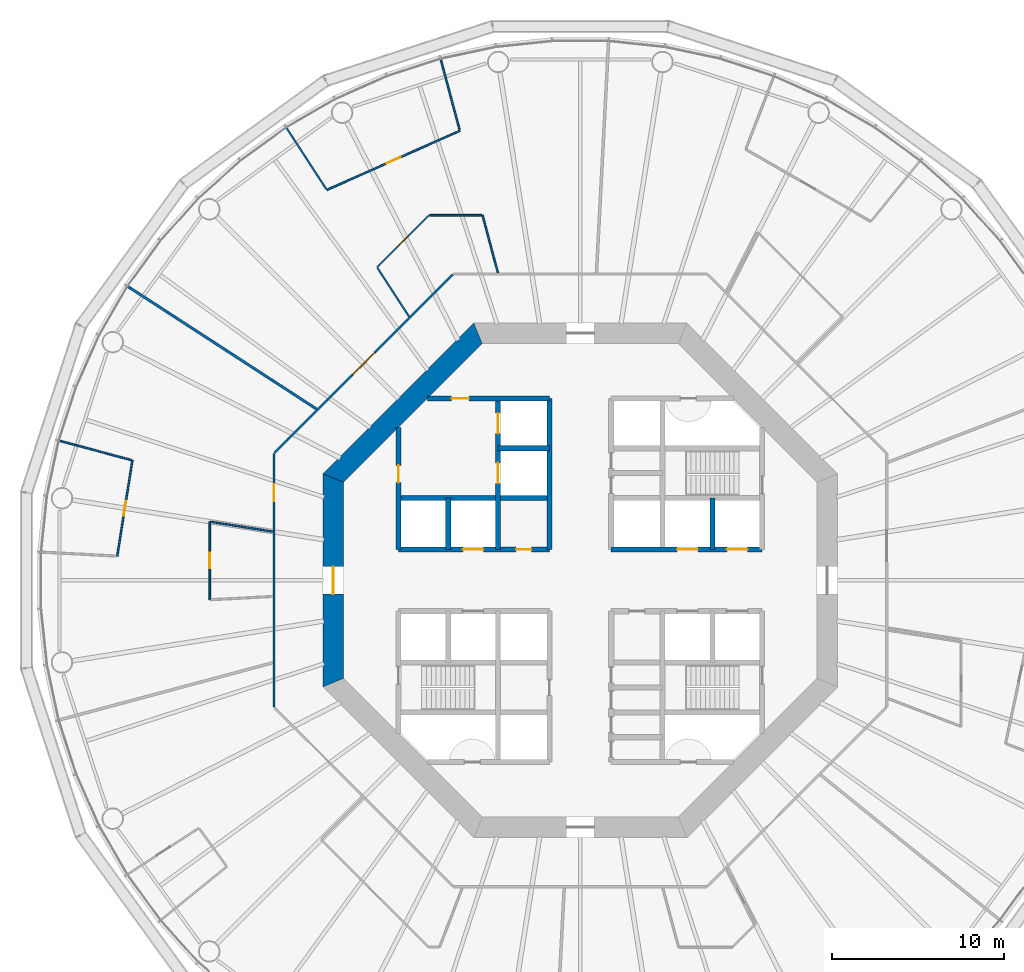
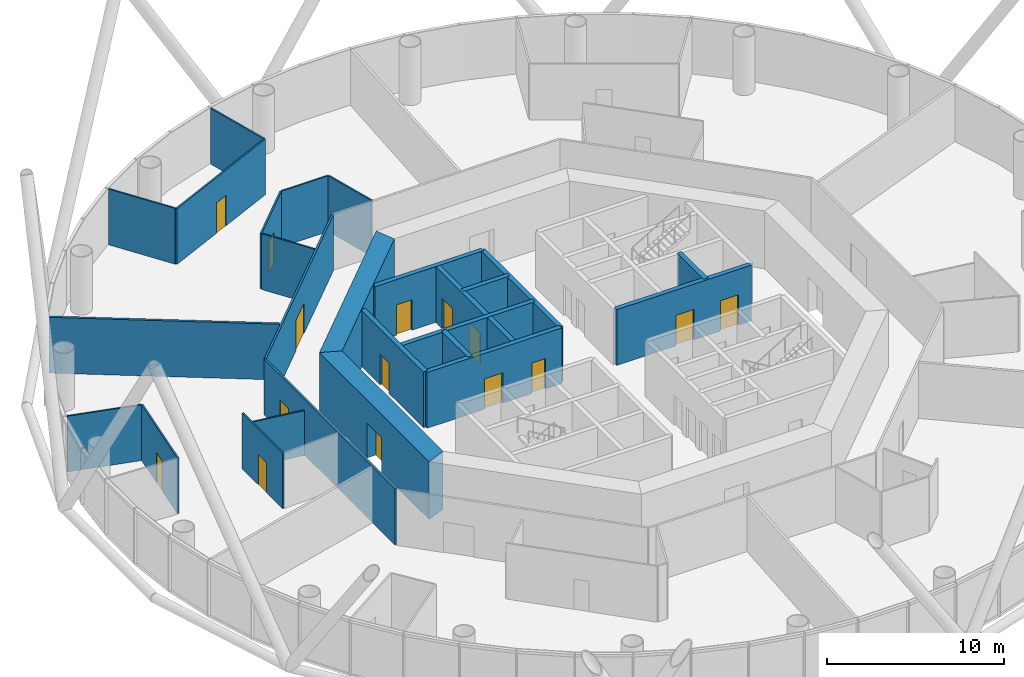
# One storey, part 5 of 14: 26 walls, 15 doors, 15 openings.
"""IFC4 building model written with IfcOpenShell, lengths in metres."""

from ifc_helpers import new_model, si_unit, direction, frame, frame_2d, origin, place, context, subcontext, project, spatial, polyline, rectangle, outline, extrude, material, layer, layer_set, type_object, element, fill, save


model = new_model("IFC4")

# Units and contexts
model_context = context("Model", 3, precision=1e-05, world=origin(), true_north=direction((0.0, 1.0)))
body_context = subcontext(model_context, "Body", "Model", "MODEL_VIEW")
ifc_project = project(units=[si_unit("LENGTHUNIT", "METRE"), si_unit("AREAUNIT", "SQUARE_METRE"), si_unit("VOLUMEUNIT", "CUBIC_METRE"), si_unit("PLANEANGLEUNIT", "RADIAN"), si_unit("MASSUNIT", "GRAM", prefix="KILO")], contexts=[model_context])

# Site, building, storey
site_placement = place(None, origin())
site = spatial("IfcSite", under=ifc_project, at=site_placement, CompositionType="ELEMENT")
building_placement = place(site_placement, origin())
building = spatial("IfcBuilding", under=site, at=building_placement, Name="Entoto Ring Tower", CompositionType="ELEMENT")
storey_placement = place(building_placement, frame((0.0, 0.0, 80.0)))
storey = spatial("IfcBuildingStorey", under=building, at=storey_placement, Name="L17", CompositionType="ELEMENT", Elevation=80.0)

# Walls
ifc_material_1 = material(Name="Concrete C40/50", Category="concrete")
ifc_layer_1 = layer(ifc_material_1, 0.300048828125)
ifc_layer_set_1 = layer_set([ifc_layer_1], Name="Concrete C40/50")
wall_type_1 = type_object("IfcWallType", Name="Core enclosure wall 300 mm reinforced concrete", PredefinedType="SOLIDWALL", material=ifc_layer_set_1)
wall_1_placement = place(storey_placement, frame((97.699951171875, 81.800048828125, 0.0), z_axis=(0.0, 0.0, 1.0), x_axis=(0.0, 1.0, 0.0)))
element("IfcWall", 1, at=wall_1_placement, inside=storey, type_object=wall_type_1, Name="wall-L17-004", PredefinedType="SOLIDWALL", context=body_context, shape_type="SweptSolid", body=[
    extrude(rectangle(XDim=3.0, YDim=0.300048828125, at=frame_2d((1.5, 0.0))), origin(), (0.0, 0.0, 1.0), 3.85009765625),
])
wall_2_placement = place(storey_placement, frame((88.199951171875, 81.800048828125, 0.0), z_axis=(0.0, 0.0, 1.0), x_axis=(0.0, 1.0, 0.0)))
element("IfcWall", 2, at=wall_2_placement, inside=storey, type_object=wall_type_1, Name="wall-L17-010", PredefinedType="SOLIDWALL", context=body_context, shape_type="SweptSolid", body=[
    extrude(rectangle(XDim=8.800048828125, YDim=0.300048828125, at=frame_2d((4.39990234375, 0.0))), origin(), (0.0, 0.0, 1.0), 3.85009765625),
])

# Wall, openings, doors
wall_3_placement = place(storey_placement, frame((85.199951171875, 81.800048828125, 0.0), z_axis=(0.0, 0.0, 1.0), x_axis=(0.0, 1.0, 0.0)))
wall_3 = element("IfcWall", 3, at=wall_3_placement, inside=storey, type_object=wall_type_1, Name="wall-L17-012", PredefinedType="SOLIDWALL", context=body_context, shape_type="SweptSolid", body=[
    extrude(rectangle(XDim=8.800048828125, YDim=0.300048828125, at=frame_2d((4.39990234375, 0.0))), origin(), (0.0, 0.0, 1.0), 3.85009765625),
])
opening_1_placement = place(wall_3_placement, frame((3.85009765625, 0.0, 0.0)))
opening_1 = element("IfcOpeningElement", 4, at=opening_1_placement, cuts=wall_3, Name="Opening LD", PredefinedType="OPENING", context=body_context, shape_type="SweptSolid", body=[
    extrude(rectangle(XDim=1.199951171875, YDim=2.10009765625, at=frame_2d((0.60009765625, 1.050048828125))), frame((0.0, 0.16015625, 0.0), z_axis=(0.0, -1.0, 0.0), x_axis=(1.0, 0.0, 0.0)), (0.0, 0.0, 1.0), 0.320068359375),
])
opening_2_placement = place(wall_3_placement, frame((6.75, 0.0, 0.0)))
opening_2 = element("IfcOpeningElement", 5, at=opening_2_placement, cuts=wall_3, Name="Opening LD", PredefinedType="OPENING", context=body_context, shape_type="SweptSolid", body=[
    extrude(rectangle(XDim=1.199951171875, YDim=2.10009765625, at=frame_2d((0.60009765625, 1.050048828125))), frame((0.0, 0.16015625, 0.0), z_axis=(0.0, -1.0, 0.0), x_axis=(1.0, 0.0, 0.0)), (0.0, 0.0, 1.0), 0.320068359375),
])
ifc_material_2 = material(Name="Steel and glass door leaf", Category="steel")
ifc_layer_2 = layer(ifc_material_2, 0.050048828125)
ifc_layer_set_2 = layer_set([ifc_layer_2], Name="Steel and glass door leaf")
door_type_1 = type_object("IfcDoorType", Name="Landing door 1200 x 2100 sliding", OperationType="DOUBLE_DOOR_SLIDING", PredefinedType="DOOR", material=ifc_layer_set_2)
door_1_placement = place(opening_1_placement, origin())
door_1 = element("IfcDoor", 6, at=door_1_placement, inside=storey, type_object=door_type_1, Name="Landing door FF1", OperationType="SLIDING_TO_RIGHT", OverallHeight=2.10009765625, OverallWidth=1.199951171875, PredefinedType="DOOR", context=body_context, shape_type="SweptSolid", body=[
    extrude(rectangle(XDim=1.199951171875, YDim=2.10009765625, at=frame_2d((0.60009765625, 1.050048828125))), frame((0.0, 0.02490234375, 0.0), z_axis=(0.0, -1.0, 0.0), x_axis=(1.0, 0.0, 0.0)), (0.0, 0.0, 1.0), 0.050048828125),
])
fill(opening_1, door_1)
door_2_placement = place(opening_2_placement, origin())
door_2 = element("IfcDoor", 7, at=door_2_placement, inside=storey, type_object=door_type_1, Name="Landing door FF2", OperationType="SLIDING_TO_RIGHT", OverallHeight=2.10009765625, OverallWidth=1.199951171875, PredefinedType="DOOR", context=body_context, shape_type="SweptSolid", body=[
    extrude(rectangle(XDim=1.199951171875, YDim=2.10009765625, at=frame_2d((0.60009765625, 1.050048828125))), frame((0.0, 0.02490234375, 0.0), z_axis=(0.0, -1.0, 0.0), x_axis=(1.0, 0.0, 0.0)), (0.0, 0.0, 1.0), 0.050048828125),
])
fill(opening_2, door_2)

# Wall
wall_4_placement = place(storey_placement, frame((82.300048828125, 81.800048828125, 0.0), z_axis=(0.0, 0.0, 1.0), x_axis=(0.0, 1.0, 0.0)))
element("IfcWall", 8, at=wall_4_placement, inside=storey, type_object=wall_type_1, Name="wall-L17-014", PredefinedType="SOLIDWALL", context=body_context, shape_type="SweptSolid", body=[
    extrude(rectangle(XDim=3.0, YDim=0.300048828125, at=frame_2d((1.5, 0.0))), origin(), (0.0, 0.0, 1.0), 3.85009765625),
])

# Wall, opening, door
wall_5_placement = place(storey_placement, frame((79.39990234375, 81.800048828125, 0.0), z_axis=(0.0, 0.0, 1.0), x_axis=(0.0, 1.0, 0.0)))
wall_5 = element("IfcWall", 9, at=wall_5_placement, inside=storey, type_object=wall_type_1, Name="wall-L17-016", PredefinedType="SOLIDWALL", context=body_context, shape_type="SweptSolid", body=[
    extrude(rectangle(XDim=7.115966796875, YDim=0.300048828125, at=frame_2d((3.55810546875, 0.0))), origin(), (0.0, 0.0, 1.0), 3.85009765625),
])
opening_3_placement = place(wall_5_placement, frame((3.89990234375, 0.0, 0.0)))
opening_3 = element("IfcOpeningElement", 10, at=opening_3_placement, cuts=wall_5, Name="Opening K-26", PredefinedType="OPENING", context=body_context, shape_type="SweptSolid", body=[
    extrude(rectangle(XDim=1.0, YDim=2.10009765625, at=frame_2d((0.5, 1.050048828125))), frame((0.0, 0.16015625, 0.0), z_axis=(0.0, -1.0, 0.0), x_axis=(1.0, 0.0, 0.0)), (0.0, 0.0, 1.0), 0.320068359375),
])
ifc_material_3 = material(Name="Steel door leaf, fire rated", Category="steel")
ifc_layer_3 = layer(ifc_material_3, 0.050048828125)
ifc_layer_set_3 = layer_set([ifc_layer_3], Name="Steel door leaf, fire rated")
door_type_2 = type_object("IfcDoorType", Name="Fire door FD60 1000 x 2100 single leaf", OperationType="NOTDEFINED", PredefinedType="DOOR", material=ifc_layer_set_3)
door_3_placement = place(opening_3_placement, frame((1.0, 0.0, 0.0), z_axis=(0.0, 0.0, 1.0), x_axis=(-1.0, 0.0, 0.0)))
door_3 = element("IfcDoor", 11, at=door_3_placement, inside=storey, type_object=door_type_2, Name="Door K-26", OperationType="SINGLE_SWING_LEFT", OverallHeight=2.10009765625, OverallWidth=1.0, PredefinedType="DOOR", context=body_context, shape_type="SweptSolid", body=[
    extrude(rectangle(XDim=1.0, YDim=2.10009765625, at=frame_2d((0.5, 1.050048828125))), frame((0.0, 0.02490234375, 0.0), z_axis=(0.0, -1.0, 0.0), x_axis=(1.0, 0.0, 0.0)), (0.0, 0.0, 1.0), 0.050048828125),
])
fill(opening_3, door_3)

# Wall, openings, doors
wall_6_placement = place(storey_placement, frame((79.39990234375, 81.800048828125, 0.0), z_axis=(0.0, 0.0, 1.0), x_axis=(1.0, 0.0, 0.0)))
wall_6 = element("IfcWall", 12, at=wall_6_placement, inside=storey, type_object=wall_type_1, Name="wall-L17-027", PredefinedType="SOLIDWALL", context=body_context, shape_type="SweptSolid", body=[
    extrude(rectangle(XDim=8.800048828125, YDim=0.300048828125, at=frame_2d((4.39990234375, 0.0))), origin(), (0.0, 0.0, 1.0), 3.85009765625),
])
opening_4_placement = place(wall_6_placement, frame((3.75, 0.0, 0.0)))
opening_4 = element("IfcOpeningElement", 13, at=opening_4_placement, cuts=wall_6, Name="Opening LD", PredefinedType="OPENING", context=body_context, shape_type="SweptSolid", body=[
    extrude(rectangle(XDim=1.199951171875, YDim=2.10009765625, at=frame_2d((0.60009765625, 1.050048828125))), frame((0.0, 0.16015625, 0.0), z_axis=(0.0, -1.0, 0.0), x_axis=(1.0, 0.0, 0.0)), (0.0, 0.0, 1.0), 0.320068359375),
])
opening_5_placement = place(wall_6_placement, frame((6.85009765625, 0.0, 0.0)))
opening_5 = element("IfcOpeningElement", 14, at=opening_5_placement, cuts=wall_6, Name="Opening K-18", PredefinedType="OPENING", context=body_context, shape_type="SweptSolid", body=[
    extrude(rectangle(XDim=0.89990234375, YDim=2.10009765625, at=frame_2d((0.449951171875, 1.050048828125))), frame((0.0, 0.16015625, 0.0), z_axis=(0.0, -1.0, 0.0), x_axis=(1.0, 0.0, 0.0)), (0.0, 0.0, 1.0), 0.320068359375),
])
ifc_material_4 = material(Name="Steel door leaf, fire rated", Category="steel")
ifc_layer_4 = layer(ifc_material_4, 0.050048828125)
ifc_layer_set_4 = layer_set([ifc_layer_4], Name="Steel door leaf, fire rated")
door_type_3 = type_object("IfcDoorType", Name="Core door 900 x 2100 single leaf", OperationType="NOTDEFINED", PredefinedType="DOOR", material=ifc_layer_set_4)
door_4_placement = place(opening_5_placement, frame((0.89990234375, 0.0, 0.0), z_axis=(0.0, 0.0, 1.0), x_axis=(-1.0, 0.0, 0.0)))
door_4 = element("IfcDoor", 15, at=door_4_placement, inside=storey, type_object=door_type_3, Name="Door K-18", OperationType="SINGLE_SWING_RIGHT", OverallHeight=2.10009765625, OverallWidth=0.89990234375, PredefinedType="DOOR", context=body_context, shape_type="SweptSolid", body=[
    extrude(rectangle(XDim=0.89990234375, YDim=2.10009765625, at=frame_2d((0.449951171875, 1.050048828125))), frame((0.0, 0.02490234375, 0.0), z_axis=(0.0, -1.0, 0.0), x_axis=(1.0, 0.0, 0.0)), (0.0, 0.0, 1.0), 0.050048828125),
])
fill(opening_5, door_4)
door_5_placement = place(opening_4_placement, origin())
door_5 = element("IfcDoor", 16, at=door_5_placement, inside=storey, type_object=door_type_1, Name="Landing door LB3-LR", OperationType="SLIDING_TO_RIGHT", OverallHeight=2.10009765625, OverallWidth=1.199951171875, PredefinedType="DOOR", context=body_context, shape_type="SweptSolid", body=[
    extrude(rectangle(XDim=1.199951171875, YDim=2.10009765625, at=frame_2d((0.60009765625, 1.050048828125))), frame((0.0, 0.02490234375, 0.0), z_axis=(0.0, -1.0, 0.0), x_axis=(1.0, 0.0, 0.0)), (0.0, 0.0, 1.0), 0.050048828125),
])
fill(opening_4, door_5)

wall_7_placement = place(storey_placement, frame((91.800048828125, 81.800048828125, 0.0), z_axis=(0.0, 0.0, 1.0), x_axis=(1.0, 0.0, 0.0)))
wall_7 = element("IfcWall", 17, at=wall_7_placement, inside=storey, type_object=wall_type_1, Name="wall-L17-028", PredefinedType="SOLIDWALL", context=body_context, shape_type="SweptSolid", body=[
    extrude(rectangle(XDim=8.800048828125, YDim=0.300048828125, at=frame_2d((4.39990234375, 0.0))), origin(), (0.0, 0.0, 1.0), 3.85009765625),
])
opening_6_placement = place(wall_7_placement, frame((3.85009765625, 0.0, 0.0)))
opening_6 = element("IfcOpeningElement", 18, at=opening_6_placement, cuts=wall_7, Name="Opening LD", PredefinedType="OPENING", context=body_context, shape_type="SweptSolid", body=[
    extrude(rectangle(XDim=1.199951171875, YDim=2.10009765625, at=frame_2d((0.60009765625, 1.050048828125))), frame((0.0, 0.16015625, 0.0), z_axis=(0.0, -1.0, 0.0), x_axis=(1.0, 0.0, 0.0)), (0.0, 0.0, 1.0), 0.320068359375),
])
opening_7_placement = place(wall_7_placement, frame((6.75, 0.0, 0.0)))
opening_7 = element("IfcOpeningElement", 19, at=opening_7_placement, cuts=wall_7, Name="Opening LD", PredefinedType="OPENING", context=body_context, shape_type="SweptSolid", body=[
    extrude(rectangle(XDim=1.199951171875, YDim=2.10009765625, at=frame_2d((0.60009765625, 1.050048828125))), frame((0.0, 0.16015625, 0.0), z_axis=(0.0, -1.0, 0.0), x_axis=(1.0, 0.0, 0.0)), (0.0, 0.0, 1.0), 0.320068359375),
])
door_6_placement = place(opening_6_placement, origin())
door_6 = element("IfcDoor", 20, at=door_6_placement, inside=storey, type_object=door_type_1, Name="Landing door LB1-LR", OperationType="SLIDING_TO_RIGHT", OverallHeight=2.10009765625, OverallWidth=1.199951171875, PredefinedType="DOOR", context=body_context, shape_type="SweptSolid", body=[
    extrude(rectangle(XDim=1.199951171875, YDim=2.10009765625, at=frame_2d((0.60009765625, 1.050048828125))), frame((0.0, 0.02490234375, 0.0), z_axis=(0.0, -1.0, 0.0), x_axis=(1.0, 0.0, 0.0)), (0.0, 0.0, 1.0), 0.050048828125),
])
fill(opening_6, door_6)
door_7_placement = place(opening_7_placement, origin())
door_7 = element("IfcDoor", 21, at=door_7_placement, inside=storey, type_object=door_type_1, Name="Landing door LB2-LR", OperationType="SLIDING_TO_RIGHT", OverallHeight=2.10009765625, OverallWidth=1.199951171875, PredefinedType="DOOR", context=body_context, shape_type="SweptSolid", body=[
    extrude(rectangle(XDim=1.199951171875, YDim=2.10009765625, at=frame_2d((0.60009765625, 1.050048828125))), frame((0.0, 0.02490234375, 0.0), z_axis=(0.0, -1.0, 0.0), x_axis=(1.0, 0.0, 0.0)), (0.0, 0.0, 1.0), 0.050048828125),
])
fill(opening_7, door_7)

# Walls
wall_8_placement = place(storey_placement, frame((79.39990234375, 84.800048828125, 0.0), z_axis=(0.0, 0.0, 1.0), x_axis=(1.0, 0.0, 0.0)))
element("IfcWall", 22, at=wall_8_placement, inside=storey, type_object=wall_type_1, Name="wall-L17-029", PredefinedType="SOLIDWALL", context=body_context, shape_type="SweptSolid", body=[
    extrude(rectangle(XDim=8.800048828125, YDim=0.300048828125, at=frame_2d((4.39990234375, 0.0))), origin(), (0.0, 0.0, 1.0), 3.85009765625),
])
wall_9_placement = place(storey_placement, frame((85.199951171875, 87.699951171875, 0.0), z_axis=(0.0, 0.0, 1.0), x_axis=(1.0, 0.0, 0.0)))
element("IfcWall", 23, at=wall_9_placement, inside=storey, type_object=wall_type_1, Name="wall-L17-032", PredefinedType="SOLIDWALL", context=body_context, shape_type="SweptSolid", body=[
    extrude(rectangle(XDim=3.0, YDim=0.300048828125, at=frame_2d((1.5, 0.0))), origin(), (0.0, 0.0, 1.0), 3.85009765625),
])

# Wall, opening, door
wall_10_placement = place(storey_placement, frame((81.083984375, 90.60009765625, 0.0), z_axis=(0.0, 0.0, 1.0), x_axis=(1.0, 0.0, 0.0)))
wall_10 = element("IfcWall", 24, at=wall_10_placement, inside=storey, type_object=wall_type_1, Name="wall-L17-034", PredefinedType="SOLIDWALL", context=body_context, shape_type="SweptSolid", body=[
    extrude(rectangle(XDim=7.115966796875, YDim=0.300048828125, at=frame_2d((3.55810546875, 0.0))), origin(), (0.0, 0.0, 1.0), 3.85009765625),
])
opening_8_placement = place(wall_10_placement, frame((1.416015625, 0.0, 0.0)))
opening_8 = element("IfcOpeningElement", 25, at=opening_8_placement, cuts=wall_10, Name="Opening K-27", PredefinedType="OPENING", context=body_context, shape_type="SweptSolid", body=[
    extrude(rectangle(XDim=1.0, YDim=2.10009765625, at=frame_2d((0.5, 1.050048828125))), frame((0.0, 0.16015625, 0.0), z_axis=(0.0, -1.0, 0.0), x_axis=(1.0, 0.0, 0.0)), (0.0, 0.0, 1.0), 0.320068359375),
])
door_8_placement = place(opening_8_placement, frame((1.0, 0.0, 0.0), z_axis=(0.0, 0.0, 1.0), x_axis=(-1.0, 0.0, 0.0)))
door_8 = element("IfcDoor", 26, at=door_8_placement, inside=storey, type_object=door_type_2, Name="Door K-27", OperationType="SINGLE_SWING_RIGHT", OverallHeight=2.10009765625, OverallWidth=1.0, PredefinedType="DOOR", context=body_context, shape_type="SweptSolid", body=[
    extrude(rectangle(XDim=1.0, YDim=2.10009765625, at=frame_2d((0.5, 1.050048828125))), frame((0.0, 0.02490234375, 0.0), z_axis=(0.0, -1.0, 0.0), x_axis=(1.0, 0.0, 0.0)), (0.0, 0.0, 1.0), 0.050048828125),
])
fill(opening_8, door_8)

# Wall
ifc_material_5 = material(Name="Concrete C60/75", Category="concrete")
ifc_layer_5 = layer(ifc_material_5, 1.199951171875)
ifc_layer_set_5 = layer_set([ifc_layer_5], Name="Concrete C60/75")
wall_type_2 = type_object("IfcWallType", Name="Core shear wall 1200 mm reinforced concrete C60/75", PredefinedType="SHEAR", material=ifc_layer_set_5)
wall_11_placement = place(storey_placement, frame((84.035400390625, 94.39990234375, 0.0), z_axis=(0.0, 0.0, 1.0), x_axis=(-0.707106781187, -0.707106781187, 0.0)))
element("IfcWall", 27, at=wall_11_placement, inside=storey, type_object=wall_type_2, Name="wall-L17-core-3", PredefinedType="SHEAR", context=body_context, shape_type="SweptSolid", body=[
    extrude(outline(polyline([(-0.24853515625, -0.60009765625), (12.177734375, -0.60009765625), (11.6806640625, 0.60009765625), (0.24853515625, 0.60009765625), (-0.24853515625, -0.60009765625)])), origin(), (0.0, 0.0, 1.0), 4.0),
])

# Wall, opening, door
wall_12_placement = place(storey_placement, frame((75.60009765625, 85.964599609375, 0.0), z_axis=(0.0, 0.0, 1.0), x_axis=(0.0, -1.0, 0.0)))
wall_12 = element("IfcWall", 28, at=wall_12_placement, inside=storey, type_object=wall_type_2, Name="wall-L17-core-4", PredefinedType="SHEAR", context=body_context, shape_type="SweptSolid", body=[
    extrude(outline(polyline([(-0.24853515625, -0.60009765625), (12.177734375, -0.60009765625), (11.6806640625, 0.60009765625), (0.24853515625, 0.60009765625), (-0.24853515625, -0.60009765625)])), origin(), (0.0, 0.0, 1.0), 4.0),
])
opening_9_placement = place(wall_12_placement, frame((5.164794921875, 0.0, 0.0)))
opening_9 = element("IfcOpeningElement", 29, at=opening_9_placement, cuts=wall_12, Name="Opening K-03", PredefinedType="OPENING", context=body_context, shape_type="SweptSolid", body=[
    extrude(rectangle(XDim=1.60009765625, YDim=2.39990234375, at=frame_2d((0.800048828125, 1.199951171875))), frame((0.0, 0.60986328125, 0.0), z_axis=(0.0, -1.0, 0.0), x_axis=(1.0, 0.0, 0.0)), (0.0, 0.0, 1.0), 1.219970703125),
])
ifc_material_6 = material(Name="Steel door leaf, fire rated", Category="steel")
ifc_layer_6 = layer(ifc_material_6, 0.050048828125)
ifc_layer_set_6 = layer_set([ifc_layer_6], Name="Steel door leaf, fire rated")
door_type_4 = type_object("IfcDoorType", Name="Entrance door FD60 1600 x 2400 double leaf", OperationType="DOUBLE_DOOR_SINGLE_SWING", PredefinedType="DOOR", material=ifc_layer_set_6)
door_9_placement = place(opening_9_placement, origin())
door_9 = element("IfcDoor", 30, at=door_9_placement, inside=storey, type_object=door_type_4, Name="Entrance door K-03", OperationType="DOUBLE_DOOR_SINGLE_SWING", OverallHeight=2.39990234375, OverallWidth=1.60009765625, PredefinedType="DOOR", context=body_context, shape_type="SweptSolid", body=[
    extrude(rectangle(XDim=1.60009765625, YDim=2.39990234375, at=frame_2d((0.800048828125, 1.199951171875))), frame((0.0, 0.02490234375, 0.0), z_axis=(0.0, -1.0, 0.0), x_axis=(1.0, 0.0, 0.0)), (0.0, 0.0, 1.0), 0.050048828125),
])
fill(opening_9, door_9)

ifc_material_7 = material(Name="Fire-resisting plasterboard on steel studs", Category="steel")
ifc_layer_7 = layer(ifc_material_7, 0.125)
ifc_layer_set_7 = layer_set([ifc_layer_7], Name="Fire-resisting plasterboard on steel studs")
wall_type_3 = type_object("IfcWallType", Name="Corridor wall 125 mm one-hour plasterboard on steel studs", PredefinedType="PARTITIONING", material=ifc_layer_set_7)
wall_13_placement = place(storey_placement, frame((72.137451171875, 72.60107421875, 0.0), z_axis=(0.0, 0.0, 1.0), x_axis=(0.0, 1.0, 0.0)))
wall_13 = element("IfcWall", 31, at=wall_13_placement, inside=storey, type_object=wall_type_3, Name="partition-L17-001", PredefinedType="PARTITIONING", context=body_context, shape_type="SweptSolid", body=[
    extrude(rectangle(XDim=14.7978515625, YDim=0.125, at=frame_2d((7.39892578125, 0.0))), origin(), (0.0, 0.0, 1.0), 3.85009765625),
])
opening_10_placement = place(wall_13_placement, frame((12.012939453125, 0.0, 0.0)))
opening_10 = element("IfcOpeningElement", 32, at=opening_10_placement, cuts=wall_13, Name="Opening A08-D10", PredefinedType="OPENING", context=body_context, shape_type="SweptSolid", body=[
    extrude(rectangle(XDim=1.0, YDim=2.10009765625, at=frame_2d((0.5, 1.050048828125))), frame((0.0, 0.072509765625, 0.0), z_axis=(0.0, -1.0, 0.0), x_axis=(1.0, 0.0, 0.0)), (0.0, 0.0, 1.0), 0.14501953125),
])
ifc_material_8 = material(Name="Fire-resisting timber door set", Category="wood")
door_type_5 = type_object("IfcDoorType", Name="Door 1000 x 2100 single leaf FD30S fire door", OperationType="NOTDEFINED", PredefinedType="DOOR", material=ifc_material_8)
door_10_placement = place(opening_10_placement, origin())
door_10 = element("IfcDoor", 33, at=door_10_placement, inside=storey, type_object=door_type_5, Name="Door A08-D10", OperationType="SINGLE_SWING_LEFT", OverallHeight=2.10009765625, OverallWidth=1.0, PredefinedType="DOOR", context=body_context, shape_type="SweptSolid", body=[
    extrude(rectangle(XDim=1.0, YDim=2.10009765625, at=frame_2d((0.5, 1.050048828125))), frame((0.0, 0.02490234375, 0.0), z_axis=(0.0, -1.0, 0.0), x_axis=(1.0, 0.0, 0.0)), (0.0, 0.0, 1.0), 0.050048828125),
])
fill(opening_10, door_10)

wall_14_placement = place(storey_placement, frame((72.168701171875, 87.429931640625, 0.0), z_axis=(0.0, 0.0, 1.0), x_axis=(0.707106781187, 0.707106781187, 0.0)))
wall_14 = element("IfcWall", 34, at=wall_14_placement, inside=storey, type_object=wall_type_3, Name="partition-L17-005", PredefinedType="PARTITIONING", context=body_context, shape_type="SweptSolid", body=[
    extrude(rectangle(XDim=14.709716796875, YDim=0.125, at=frame_2d((7.35498046875, 0.0))), origin(), (0.0, 0.0, 1.0), 3.85009765625),
])
opening_11_placement = place(wall_14_placement, frame((6.454833984375, 0.0, 0.0)))
opening_11 = element("IfcOpeningElement", 35, at=opening_11_placement, cuts=wall_14, Name="Opening A08-D07", PredefinedType="OPENING", context=body_context, shape_type="SweptSolid", body=[
    extrude(rectangle(XDim=1.800048828125, YDim=2.10009765625, at=frame_2d((0.89990234375, 1.050048828125))), frame((0.0, 0.072509765625, 0.0), z_axis=(0.0, -1.0, 0.0), x_axis=(1.0, 0.0, 0.0)), (0.0, 0.0, 1.0), 0.14501953125),
])
ifc_material_9 = material(Name="Fire-resisting timber door set", Category="wood")
door_type_6 = type_object("IfcDoorType", Name="Door 1800 x 2100 double leaf FD30S fire door", OperationType="DOUBLE_DOOR_SINGLE_SWING", PredefinedType="DOOR", material=ifc_material_9)
door_11_placement = place(opening_11_placement, origin())
door_11 = element("IfcDoor", 36, at=door_11_placement, inside=storey, type_object=door_type_6, Name="Door A08-D07", OperationType="DOUBLE_DOOR_SINGLE_SWING", OverallHeight=2.10009765625, OverallWidth=1.800048828125, PredefinedType="DOOR", context=body_context, shape_type="SweptSolid", body=[
    extrude(rectangle(XDim=1.800048828125, YDim=2.10009765625, at=frame_2d((0.89990234375, 1.050048828125))), frame((0.0, 0.02490234375, 0.0), z_axis=(0.0, -1.0, 0.0), x_axis=(1.0, 0.0, 0.0)), (0.0, 0.0, 1.0), 0.050048828125),
])
fill(opening_11, door_11)

ifc_material_10 = material(Name="Plasterboard on steel studs", Category="steel")
ifc_layer_8 = layer(ifc_material_10, 0.10009765625)
ifc_layer_set_8 = layer_set([ifc_layer_8], Name="Plasterboard on steel studs")
wall_type_4 = type_object("IfcWallType", Name="Partition 100 mm plasterboard on steel studs", PredefinedType="PARTITIONING", material=ifc_layer_set_8)
wall_15_placement = place(storey_placement, frame((75.218505859375, 102.761474609375, 0.0), z_axis=(0.0, 0.0, 1.0), x_axis=(0.913548139396, 0.406730619705, 0.0)))
wall_15 = element("IfcWall", 37, at=wall_15_placement, inside=storey, type_object=wall_type_4, Name="partition-L17-016", PredefinedType="PARTITIONING", context=body_context, shape_type="SweptSolid", body=[
    extrude(rectangle(XDim=8.4912109375, YDim=0.10009765625, at=frame_2d((4.24560546875, 0.0))), origin(), (0.0, 0.0, 1.0), 3.85009765625),
])
opening_12_placement = place(wall_15_placement, frame((3.795654296875, 0.0, 0.0)))
opening_12 = element("IfcOpeningElement", 38, at=opening_12_placement, cuts=wall_15, Name="Opening A08-D09", PredefinedType="OPENING", context=body_context, shape_type="SweptSolid", body=[
    extrude(rectangle(XDim=0.89990234375, YDim=2.10009765625, at=frame_2d((0.449951171875, 1.050048828125))), frame((0.0, 0.06005859375, 0.0), z_axis=(0.0, -1.0, 0.0), x_axis=(1.0, 0.0, 0.0)), (0.0, 0.0, 1.0), 0.1201171875),
])
ifc_material_11 = material(Name="Veneered timber door leaf in timber frame", Category="wood")
door_type_7 = type_object("IfcDoorType", Name="Door 900 x 2100 single leaf timber veneer", OperationType="NOTDEFINED", PredefinedType="DOOR", material=ifc_material_11)
door_12_placement = place(opening_12_placement, origin())
door_12 = element("IfcDoor", 39, at=door_12_placement, inside=storey, type_object=door_type_7, Name="Door A08-D09", OperationType="SINGLE_SWING_LEFT", OverallHeight=2.10009765625, OverallWidth=0.89990234375, PredefinedType="DOOR", context=body_context, shape_type="SweptSolid", body=[
    extrude(rectangle(XDim=0.89990234375, YDim=2.10009765625, at=frame_2d((0.449951171875, 1.050048828125))), frame((0.0, 0.02490234375, 0.0), z_axis=(0.0, -1.0, 0.0), x_axis=(1.0, 0.0, 0.0)), (0.0, 0.0, 1.0), 0.050048828125),
])
fill(opening_12, door_12)

wall_16_placement = place(storey_placement, frame((62.9970703125, 81.415283203125, 0.0), z_axis=(0.0, 0.0, 1.0), x_axis=(0.156430514492, 0.987688966292, 0.0)))
wall_16 = element("IfcWall", 40, at=wall_16_placement, inside=storey, type_object=wall_type_4, Name="partition-L17-020", PredefinedType="PARTITIONING", context=body_context, shape_type="SweptSolid", body=[
    extrude(rectangle(XDim=5.65283203125, YDim=0.10009765625, at=frame_2d((2.826416015625, 0.0))), origin(), (0.0, 0.0, 1.0), 3.85009765625),
])
opening_13_placement = place(wall_16_placement, frame((2.37646484375, 0.0, 0.0)))
opening_13 = element("IfcOpeningElement", 41, at=opening_13_placement, cuts=wall_16, Name="Opening A08-D12", PredefinedType="OPENING", context=body_context, shape_type="SweptSolid", body=[
    extrude(rectangle(XDim=0.89990234375, YDim=2.10009765625, at=frame_2d((0.449951171875, 1.050048828125))), frame((0.0, 0.06005859375, 0.0), z_axis=(0.0, -1.0, 0.0), x_axis=(1.0, 0.0, 0.0)), (0.0, 0.0, 1.0), 0.1201171875),
])
door_13_placement = place(opening_13_placement, origin())
door_13 = element("IfcDoor", 42, at=door_13_placement, inside=storey, type_object=door_type_7, Name="Door A08-D12", OperationType="SINGLE_SWING_LEFT", OverallHeight=2.10009765625, OverallWidth=0.89990234375, PredefinedType="DOOR", context=body_context, shape_type="SweptSolid", body=[
    extrude(rectangle(XDim=0.89990234375, YDim=2.10009765625, at=frame_2d((0.449951171875, 1.050048828125))), frame((0.0, 0.02490234375, 0.0), z_axis=(0.0, -1.0, 0.0), x_axis=(1.0, 0.0, 0.0)), (0.0, 0.0, 1.0), 0.050048828125),
])
fill(opening_13, door_13)

wall_17_placement = place(storey_placement, frame((68.3974609375, 78.867919921875, 0.0), z_axis=(0.0, 0.0, 1.0), x_axis=(0.0, 1.0, 0.0)))
wall_17 = element("IfcWall", 43, at=wall_17_placement, inside=storey, type_object=wall_type_4, Name="partition-L17-029", PredefinedType="PARTITIONING", context=body_context, shape_type="SweptSolid", body=[
    extrude(rectangle(XDim=4.553466796875, YDim=0.10009765625, at=frame_2d((2.27685546875, 0.0))), origin(), (0.0, 0.0, 1.0), 3.85009765625),
])
opening_14_placement = place(wall_17_placement, frame((1.826904296875, 0.0, 0.0)))
opening_14 = element("IfcOpeningElement", 44, at=opening_14_placement, cuts=wall_17, Name="Opening A08-D11", PredefinedType="OPENING", context=body_context, shape_type="SweptSolid", body=[
    extrude(rectangle(XDim=0.89990234375, YDim=2.10009765625, at=frame_2d((0.449951171875, 1.050048828125))), frame((0.0, 0.06005859375, 0.0), z_axis=(0.0, -1.0, 0.0), x_axis=(1.0, 0.0, 0.0)), (0.0, 0.0, 1.0), 0.1201171875),
])
door_14_placement = place(opening_14_placement, frame((0.89990234375, 0.0, 0.0), z_axis=(0.0, 0.0, 1.0), x_axis=(-1.0, 0.0, 0.0)))
door_14 = element("IfcDoor", 45, at=door_14_placement, inside=storey, type_object=door_type_7, Name="Door A08-D11", OperationType="SINGLE_SWING_LEFT", OverallHeight=2.10009765625, OverallWidth=0.89990234375, PredefinedType="DOOR", context=body_context, shape_type="SweptSolid", body=[
    extrude(rectangle(XDim=0.89990234375, YDim=2.10009765625, at=frame_2d((0.449951171875, 1.050048828125))), frame((0.0, 0.02490234375, 0.0), z_axis=(0.0, -1.0, 0.0), x_axis=(1.0, 0.0, 0.0)), (0.0, 0.0, 1.0), 0.050048828125),
])
fill(opening_14, door_14)

# Walls
wall_18_placement = place(storey_placement, frame((63.83349609375, 87.01123046875, 0.0), z_axis=(0.0, 0.0, 1.0), x_axis=(-0.965925005542, 0.258822108155, 0.0)))
element("IfcWall", 46, at=wall_18_placement, inside=storey, type_object=wall_type_4, Name="partition-L17-032", PredefinedType="PARTITIONING", context=body_context, shape_type="SweptSolid", body=[
    extrude(rectangle(XDim=4.350341796875, YDim=0.10009765625, at=frame_2d((2.17529296875, 0.0))), origin(), (0.0, 0.0, 1.0), 3.85009765625),
])
wall_19_placement = place(storey_placement, frame((75.191650390625, 102.802978515625, 0.0), z_axis=(0.0, 0.0, 1.0), x_axis=(-0.544653187242, 0.838661377212, 0.0)))
element("IfcWall", 47, at=wall_19_placement, inside=storey, type_object=wall_type_4, Name="partition-L17-035", PredefinedType="PARTITIONING", context=body_context, shape_type="SweptSolid", body=[
    extrude(rectangle(XDim=4.250732421875, YDim=0.10009765625, at=frame_2d((2.12548828125, 0.0))), origin(), (0.0, 0.0, 1.0), 3.85009765625),
])
wall_20_placement = place(storey_placement, frame((82.962890625, 106.262939453125, 0.0), z_axis=(0.0, 0.0, 1.0), x_axis=(-0.258813602013, 0.965927284744, 0.0)))
element("IfcWall", 48, at=wall_20_placement, inside=storey, type_object=wall_type_4, Name="partition-L17-036", PredefinedType="PARTITIONING", context=body_context, shape_type="SweptSolid", body=[
    extrude(rectangle(XDim=4.25048828125, YDim=0.10009765625, at=frame_2d((2.125244140625, 0.0))), origin(), (0.0, 0.0, 1.0), 3.85009765625),
])

# Wall, opening, door
wall_21_placement = place(storey_placement, frame((78.144287109375, 98.25634765625, 0.0), z_axis=(0.0, 0.0, 1.0), x_axis=(0.707106781187, 0.707106781187, 0.0)))
wall_21 = element("IfcWall", 49, at=wall_21_placement, inside=storey, type_object=wall_type_4, Name="partition-L17-037", PredefinedType="PARTITIONING", context=body_context, shape_type="SweptSolid", body=[
    extrude(rectangle(XDim=4.293701171875, YDim=0.10009765625, at=frame_2d((2.14697265625, 0.0))), origin(), (0.0, 0.0, 1.0), 3.85009765625),
])
opening_15_placement = place(wall_21_placement, frame((1.697021484375, 0.0, 0.0)))
opening_15 = element("IfcOpeningElement", 50, at=opening_15_placement, cuts=wall_21, Name="Opening A08-D08", PredefinedType="OPENING", context=body_context, shape_type="SweptSolid", body=[
    extrude(rectangle(XDim=0.89990234375, YDim=2.10009765625, at=frame_2d((0.449951171875, 1.050048828125))), frame((0.0, 0.06005859375, 0.0), z_axis=(0.0, -1.0, 0.0), x_axis=(1.0, 0.0, 0.0)), (0.0, 0.0, 1.0), 0.1201171875),
])
door_15_placement = place(opening_15_placement, frame((0.89990234375, 0.0, 0.0), z_axis=(0.0, 0.0, 1.0), x_axis=(-1.0, 0.0, 0.0)))
door_15 = element("IfcDoor", 51, at=door_15_placement, inside=storey, type_object=door_type_7, Name="Door A08-D08", OperationType="SINGLE_SWING_RIGHT", OverallHeight=2.10009765625, OverallWidth=0.89990234375, PredefinedType="DOOR", context=body_context, shape_type="SweptSolid", body=[
    extrude(rectangle(XDim=0.89990234375, YDim=2.10009765625, at=frame_2d((0.449951171875, 1.050048828125))), frame((0.0, 0.02490234375, 0.0), z_axis=(0.0, -1.0, 0.0), x_axis=(1.0, 0.0, 0.0)), (0.0, 0.0, 1.0), 0.050048828125),
])
fill(opening_15, door_15)

# Walls
wall_22_placement = place(storey_placement, frame((85.193603515625, 97.937744140625, 0.0), z_axis=(0.0, 0.0, 1.0), x_axis=(-0.2588262692, 0.965923890569, 0.0)))
element("IfcWall", 52, at=wall_22_placement, inside=storey, type_object=wall_type_4, Name="partition-L17-045", PredefinedType="PARTITIONING", context=body_context, shape_type="SweptSolid", body=[
    extrude(rectangle(XDim=3.47314453125, YDim=0.10009765625, at=frame_2d((1.736572265625, 0.0))), origin(), (0.0, 0.0, 1.0), 3.85009765625),
])
wall_23_placement = place(storey_placement, frame((80.013427734375, 95.377685546875, 0.0), z_axis=(0.0, 0.0, 1.0), x_axis=(-0.544585008018, 0.838705651013, 0.0)))
element("IfcWall", 53, at=wall_23_placement, inside=storey, type_object=wall_type_4, Name="partition-L17-047", PredefinedType="PARTITIONING", context=body_context, shape_type="SweptSolid", body=[
    extrude(rectangle(XDim=3.38330078125, YDim=0.10009765625, at=frame_2d((1.691650390625, 0.0))), origin(), (0.0, 0.0, 1.0), 3.85009765625),
])
wall_24_placement = place(storey_placement, frame((81.215576171875, 101.29248046875, 0.0), z_axis=(0.0, 0.0, 1.0), x_axis=(1.0, 0.0, 0.0)))
element("IfcWall", 54, at=wall_24_placement, inside=storey, type_object=wall_type_4, Name="partition-L17-049", PredefinedType="PARTITIONING", context=body_context, shape_type="SweptSolid", body=[
    extrude(rectangle(XDim=3.031005859375, YDim=0.10009765625, at=frame_2d((1.515625, 0.0))), origin(), (0.0, 0.0, 1.0), 3.85009765625),
])
ifc_material_12 = material(Name="Plasterboard on steel studs", Category="steel")
ifc_layer_9 = layer(ifc_material_12, 0.10009765625)
ifc_layer_set_9 = layer_set([ifc_layer_9], Name="Plasterboard on steel studs")
wall_type_5 = type_object("IfcWallType", Name="Partition 100 mm plasterboard on steel studs, 3097 mm high", PredefinedType="PARTITIONING", material=ifc_layer_set_9)
wall_25_placement = place(storey_placement, frame((72.0673828125, 82.84033203125, 0.0), z_axis=(0.0, 0.0, 1.0), x_axis=(-0.987693045211, 0.156404758376, 0.0)))
element("IfcWall", 55, at=wall_25_placement, inside=storey, type_object=wall_type_5, Name="partition-L17-040", PredefinedType="PARTITIONING", context=body_context, shape_type="SweptSolid", body=[
    extrude(rectangle(XDim=3.6572265625, YDim=0.10009765625, at=frame_2d((1.82861328125, 0.0))), origin(), (0.0, 0.0, 1.0), 3.096923828125),
])
ifc_material_13 = material(Name="Fire-resisting acoustic plasterboard on steel studs", Category="steel")
ifc_layer_10 = layer(ifc_material_13, 0.14990234375)
ifc_layer_set_10 = layer_set([ifc_layer_10], Name="Fire-resisting acoustic plasterboard on steel studs")
wall_type_6 = type_object("IfcWallType", Name="Party wall 150 mm one-hour acoustic plasterboard on steel studs", PredefinedType="PARTITIONING", material=ifc_layer_set_10)
wall_26_placement = place(storey_placement, frame((74.61767578125, 89.989501953125, 0.0), z_axis=(0.0, 0.0, 1.0), x_axis=(-0.838673917758, 0.544633876721, 0.0)))
element("IfcWall", 56, at=wall_26_placement, inside=storey, type_object=wall_type_6, Name="partition-L17-012", PredefinedType="PARTITIONING", context=body_context, shape_type="SweptSolid", body=[
    extrude(rectangle(XDim=13.098876953125, YDim=0.14990234375, at=frame_2d((6.54931640625, 0.0))), origin(), (0.0, 0.0, 1.0), 3.85009765625),
])

save(model, "model.ifc")
